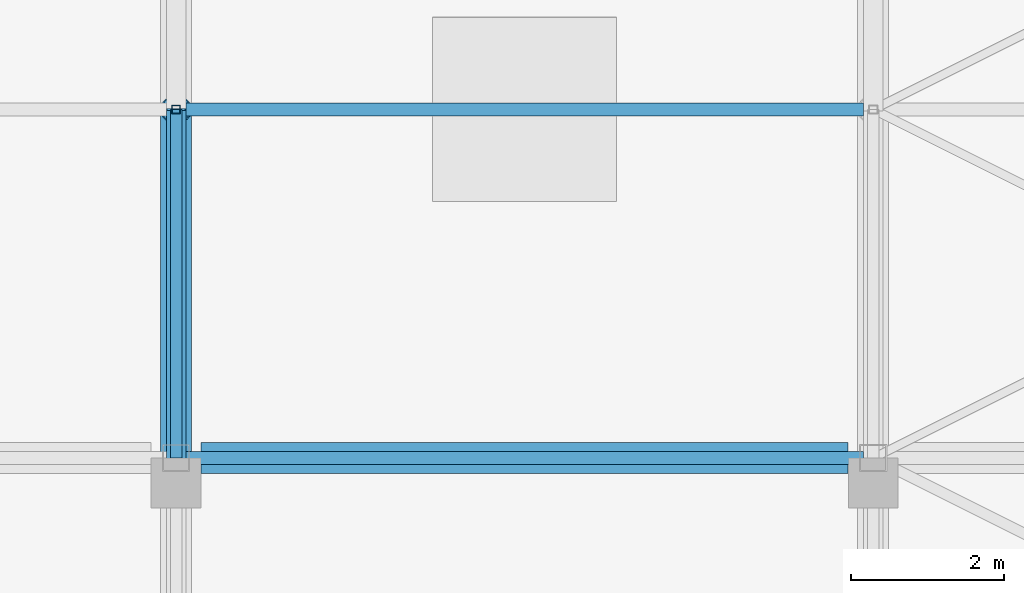
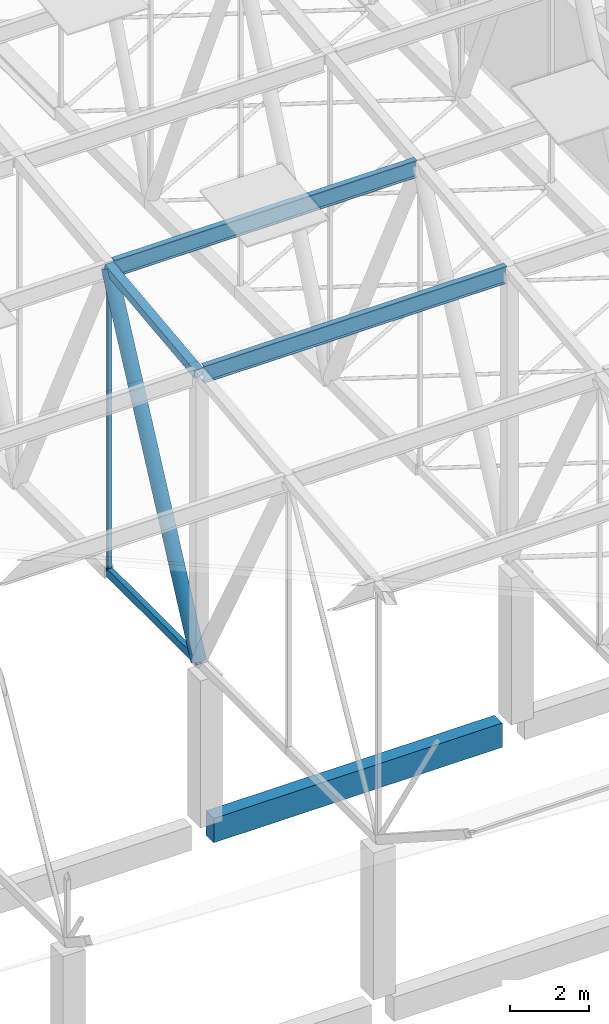
# One storey, part 107 of 500: 6 members, 1 beam.
"""IFC4 building model written with IfcOpenShell, lengths in metres."""

from ifc_helpers import new_model, si_unit, direction, frame, origin, origin_2d, place, context, subcontext, project, spatial, rectangle, hollow_rectangle, hollow_circle, i_section, extrude, material, material_profile, profile_set, type_object, element, save


model = new_model("IFC4")

# Units and contexts
model_context = context("Model", 3, precision=1e-05, world=origin(), true_north=direction((0.0, 1.0)))
body_context = subcontext(model_context, "Body", "Model", "MODEL_VIEW")
ifc_project = project(units=[si_unit("LENGTHUNIT", "METRE"), si_unit("AREAUNIT", "SQUARE_METRE"), si_unit("VOLUMEUNIT", "CUBIC_METRE"), si_unit("PLANEANGLEUNIT", "RADIAN"), si_unit("MASSUNIT", "GRAM", prefix="KILO")], contexts=[model_context])

# Site, building, storey
site_placement = place(None, origin())
site = spatial("IfcSite", under=ifc_project, at=site_placement, CompositionType="ELEMENT")
building_placement = place(site_placement, origin())
building = spatial("IfcBuilding", under=site, at=building_placement, Name="Shirokan Park Arena", CompositionType="ELEMENT")
storey_placement = place(building_placement, frame((0.0, 0.0, 29.1201171875)))
storey = spatial("IfcBuildingStorey", under=building, at=storey_placement, Name="L06", CompositionType="ELEMENT", Elevation=29.1201171875)

# Members
ifc_material_1 = material(Name="Steel ASTM A500 Grade C", Category="steel")
ifc_material_profile_1 = material_profile(ifc_material_1, hollow_rectangle(XDim=0.152099609375, YDim=0.25390625, WallThickness=0.015869140625, at=origin_2d()), Name="HSS254X152.4X15.9")
ifc_profile_set_1 = profile_set([ifc_material_profile_1], Name="Steel ASTM A500 Grade C")
member_type_1 = type_object("IfcMemberType", Name="Bottom chord HSS254X152.4X15.9", PredefinedType="CHORD", material=ifc_profile_set_1)
member_1_placement = place(storey_placement, frame((81.89990234375, 9.10009765625, 4.677001953125), z_axis=(0.0, 1.0, 0.0), x_axis=(-1.0, 0.0, 0.0)))
element("IfcMember", 1, at=member_1_placement, inside=storey, type_object=member_type_1, Name="Truss T10 bottom chord 5", PredefinedType="CHORD", context=body_context, shape_type="SweptSolid", body=[
    extrude(hollow_rectangle(XDim=0.152099609375, YDim=0.25390625, WallThickness=0.015869140625, at=origin_2d()), origin(), (0.0, 0.0, 1.0), 4.5498046875),
])
ifc_material_2 = material(Name="Steel ASTM A992", Category="steel")
ifc_material_profile_2 = material_profile(ifc_material_2, i_section(OverallWidth=0.166015625, OverallDepth=0.528076171875, WebThickness=0.009765625, FlangeThickness=0.013671875, at=origin_2d()), Name="W530X74")
ifc_profile_set_2 = profile_set([ifc_material_profile_2], Name="Steel ASTM A992")
member_type_2 = type_object("IfcMemberType", Name="Purlin W530X74", PredefinedType="PURLIN", material=ifc_profile_set_2)
for number, where, z_axis, x_axis, name in (
    (2, (82.027099609375, 9.10009765625, 13.52587890625), (1.0, 0.0, 0.0), (0.0, 1.0, 0.0), "Purlin 5 bay 10"),
    (3, (82.027099609375, 13.64990234375, 14.0458984375), (1.0, 0.0, 0.0), (0.0, 1.0, 0.0), "Purlin 6 bay 10"),
):
    element("IfcMember", number, at=place(storey_placement, frame(where, z_axis=z_axis, x_axis=x_axis)), inside=storey, type_object=member_type_2, Name=name, PredefinedType="PURLIN", context=body_context, shape_type="SweptSolid", body=[
        extrude(i_section(OverallWidth=0.166015625, OverallDepth=0.528076171875, WebThickness=0.009765625, FlangeThickness=0.013671875, at=origin_2d()), origin(), (0.0, 0.0, 1.0), 8.845947265625),
    ])

# Beam
ifc_material_3 = material(Name="Concrete C35", Category="concrete")
ifc_material_profile_3 = material_profile(ifc_material_3, rectangle(XDim=0.39990234375, YDim=0.75, at=origin_2d()), Name="400x750")
ifc_profile_set_3 = profile_set([ifc_material_profile_3], Name="Concrete C35")
beam_type = type_object("IfcBeamType", Name="RC girder 400x750", PredefinedType="BEAM", material=ifc_profile_set_3)
beam_placement = place(storey_placement, frame((82.22509765625, 9.10009765625, -0.5751953125), z_axis=(1.0, 0.0, 0.0), x_axis=(0.0, 1.0, 0.0)))
element("IfcBeam", 4, at=beam_placement, inside=storey, type_object=beam_type, Name="Girder 10B-11B L06", PredefinedType="BEAM", context=body_context, shape_type="SweptSolid", body=[
    extrude(rectangle(XDim=0.39990234375, YDim=0.75, at=origin_2d()), origin(), (0.0, 0.0, 1.0), 8.44970703125),
])

# Members
ifc_material_profile_4 = material_profile(ifc_material_1, hollow_rectangle(XDim=0.25390625, YDim=0.25390625, WallThickness=0.009521484375, at=origin_2d()), Name="HSS254X254X9.5")
ifc_profile_set_4 = profile_set([ifc_material_profile_4], Name="Steel ASTM A500 Grade C")
member_type_3 = type_object("IfcMemberType", Name="Top chord HSS254X254X9.5", PredefinedType="CHORD", material=ifc_profile_set_4)
member_2_placement = place(storey_placement, frame((81.89990234375, 9.10009765625, 13.581298828125), z_axis=(0.0, 0.993531641592, 0.11355561261), x_axis=(-1.0, 0.0, 0.0)))
element("IfcMember", 5, at=member_2_placement, inside=storey, type_object=member_type_3, Name="Truss T10 top chord 5", PredefinedType="CHORD", context=body_context, shape_type="SweptSolid", body=[
    extrude(hollow_rectangle(XDim=0.25390625, YDim=0.25390625, WallThickness=0.009521484375, at=origin_2d()), origin(), (0.0, 0.0, 1.0), 4.579345703125),
])
ifc_material_profile_5 = material_profile(ifc_material_1, hollow_circle(Radius=0.202880859375, WallThickness=0.015869140625, at=origin_2d()), Name="HSS406.4X15.9")
ifc_profile_set_5 = profile_set([ifc_material_profile_5], Name="Steel ASTM A500 Grade C")
member_type_4 = type_object("IfcMemberType", Name="Truss diagonal HSS406.4X15.9", PredefinedType="BRACE", material=ifc_profile_set_5)
member_3_placement = place(storey_placement, frame((81.89990234375, 9.10009765625, 4.677001953125), z_axis=(0.0, 0.434759504242, 0.900546597057), x_axis=(-1.0, 0.0, 0.0)))
element("IfcMember", 6, at=member_3_placement, inside=storey, type_object=member_type_4, Name="Truss T10 diagonal 5", PredefinedType="BRACE", context=body_context, shape_type="SweptSolid", body=[
    extrude(hollow_circle(Radius=0.202880859375, WallThickness=0.015869140625, at=origin_2d()), origin(), (0.0, 0.0, 1.0), 10.465087890625),
])
ifc_material_profile_6 = material_profile(ifc_material_1, hollow_rectangle(XDim=0.114013671875, YDim=0.114013671875, WallThickness=0.00634765625, at=origin_2d()), Name="HSS114.3X114.3X6.4")
ifc_profile_set_6 = profile_set([ifc_material_profile_6], Name="Steel ASTM A500 Grade C")
member_type_5 = type_object("IfcMemberType", Name="Truss post HSS114.3X114.3X6.4", PredefinedType="POST", material=ifc_profile_set_6)
member_4_placement = place(storey_placement, frame((81.89990234375, 13.64990234375, 4.677001953125), z_axis=(0.0, 0.0, 1.0), x_axis=(1.0, 0.0, 0.0)))
element("IfcMember", 7, at=member_4_placement, inside=storey, type_object=member_type_5, Name="Truss T10 post 6", PredefinedType="POST", context=body_context, shape_type="SweptSolid", body=[
    extrude(hollow_rectangle(XDim=0.114013671875, YDim=0.114013671875, WallThickness=0.00634765625, at=origin_2d()), origin(), (0.0, 0.0, 1.0), 9.42431640625),
])

save(model, "model.ifc")
